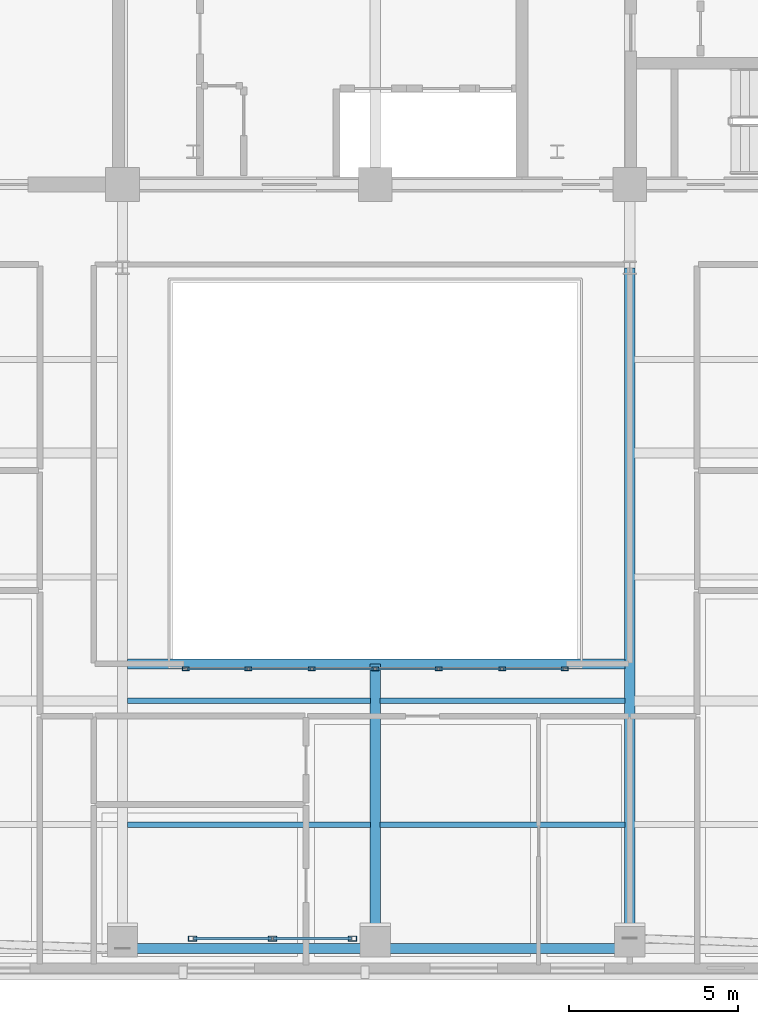
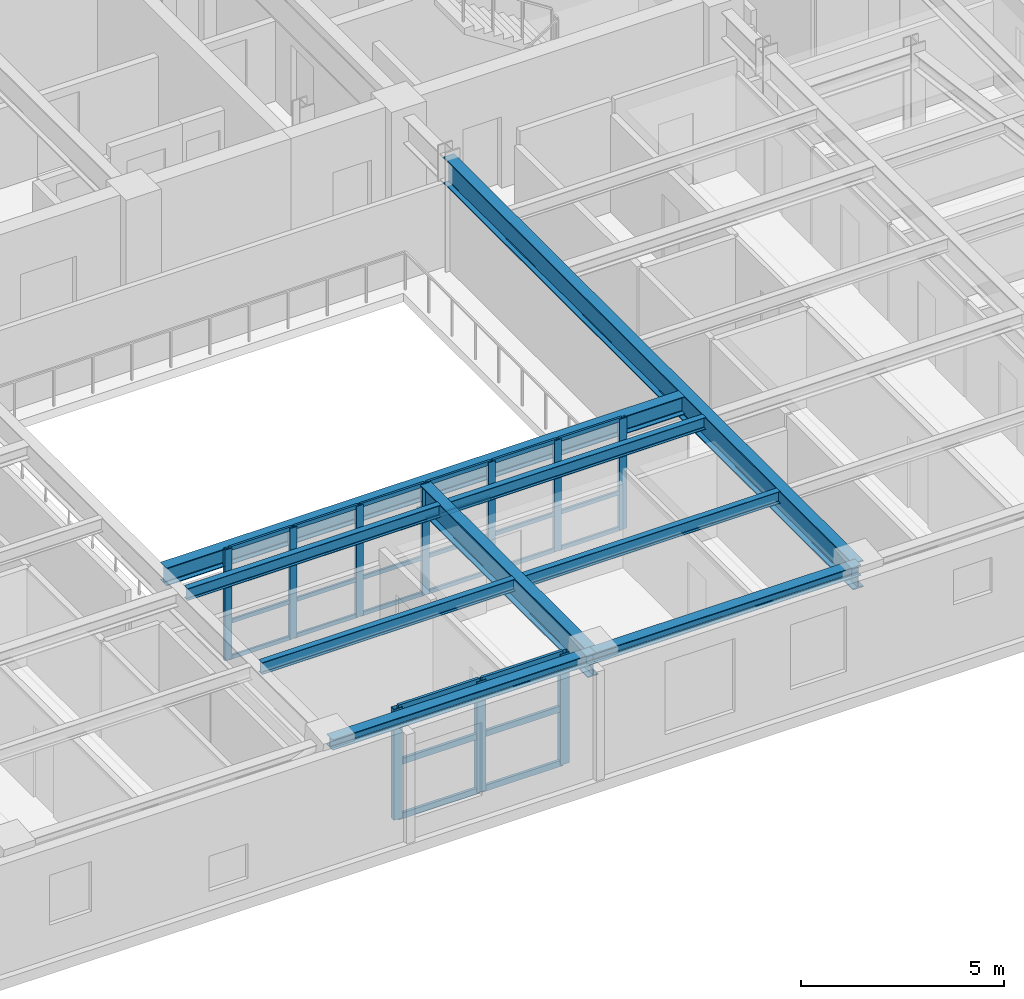
# One storey, part 2 of 14: 40 members, 9 beams, 2 elements without a shape of their own.
"""IFC4 building model written with IfcOpenShell, lengths in metres."""

from ifc_helpers import new_model, si_unit, direction, frame, origin, origin_2d, place, context, subcontext, project, spatial, hollow_rectangle, i_section, extrude, material, layer, layer_set, material_profile, profile_set, type_object, element, aggregate, save


model = new_model("IFC4")

# Units and contexts
model_context = context("Model", 3, precision=1e-05, world=origin(), true_north=direction((0.0, 1.0)))
body_context = subcontext(model_context, "Body", "Model", "MODEL_VIEW")
ifc_project = project(units=[si_unit("LENGTHUNIT", "METRE"), si_unit("AREAUNIT", "SQUARE_METRE"), si_unit("VOLUMEUNIT", "CUBIC_METRE"), si_unit("PLANEANGLEUNIT", "RADIAN"), si_unit("MASSUNIT", "GRAM", prefix="KILO")], contexts=[model_context])

# Site, building, storey
site_placement = place(None, origin())
site = spatial("IfcSite", under=ifc_project, at=site_placement, CompositionType="ELEMENT")
building_placement = place(site_placement, origin())
building = spatial("IfcBuilding", under=site, at=building_placement, Name="Zarnavel Station Tower", CompositionType="ELEMENT")
storey_placement = place(building_placement, frame((0.0, 0.0, 229.199951171875)))
storey = spatial("IfcBuildingStorey", under=building, at=storey_placement, Name="L62", CompositionType="ELEMENT", Elevation=229.199951171875)

# Curtain wall, members
ifc_material_1 = material(Name="Aluminium Dark Anodised and Solar-Control Glass", Category="aluminium")
ifc_layer_1 = layer(ifc_material_1, 0.179931640625)
ifc_layer_set_1 = layer_set([ifc_layer_1], Name="CWS5")
curtain_wall_type_1 = type_object("IfcCurtainWallType", Name="CWS5", PredefinedType="NOTDEFINED", material=ifc_layer_set_1)
curtain_wall_1_placement = place(storey_placement, origin())
curtain_wall_1 = element("IfcCurtainWall", 1, at=curtain_wall_1_placement, inside=storey, type_object=curtain_wall_type_1, Name="L62 Curtain Wall CWS5-L62-AS", PredefinedType="NOTDEFINED")
ifc_material_2 = material(Name="Steel S355J2 (Black Fluoropolymer Coated)", Category="steel")
ifc_material_profile_1 = material_profile(ifc_material_2, hollow_rectangle(XDim=0.10009765625, YDim=0.199951171875, WallThickness=0.008056640625, at=origin_2d()), Name="RHS200x100x8")
ifc_profile_set_1 = profile_set([ifc_material_profile_1], Name="Steel S355J2 (Black Fluoropolymer Coated)")
member_type_1 = type_object("IfcMemberType", Name="CWS5_MUL", PredefinedType="MULLION", material=ifc_profile_set_1)
member_1_placement = place(storey_placement, frame((23.179931640625, 13.449951171875, 0.0), z_axis=(0.0, 0.0, 1.0), x_axis=(0.0, 1.0, 0.0)))
member_1 = element("IfcMember", 2, at=member_1_placement, type_object=member_type_1, Name="CW5 mullion 1", PredefinedType="MULLION", context=body_context, shape_type="SweptSolid", body=[
    extrude(hollow_rectangle(XDim=0.10009765625, YDim=0.199951171875, WallThickness=0.008056640625, at=origin_2d()), origin(), (0.0, 0.0, 1.0), 3.340087890625),
])
member_2_placement = place(storey_placement, frame((25.033447265625, 13.449951171875, 0.0), z_axis=(0.0, 0.0, 1.0), x_axis=(0.0, 1.0, 0.0)))
member_2 = element("IfcMember", 3, at=member_2_placement, type_object=member_type_1, Name="CW5 mullion 2", PredefinedType="MULLION", context=body_context, shape_type="SweptSolid", body=[
    extrude(hollow_rectangle(XDim=0.10009765625, YDim=0.199951171875, WallThickness=0.008056640625, at=origin_2d()), origin(), (0.0, 0.0, 1.0), 3.340087890625),
])
member_3_placement = place(storey_placement, frame((26.916748046875, 13.449951171875, 0.0), z_axis=(0.0, 0.0, 1.0), x_axis=(0.0, 1.0, 0.0)))
member_3 = element("IfcMember", 4, at=member_3_placement, type_object=member_type_1, Name="CW5 mullion 3", PredefinedType="MULLION", context=body_context, shape_type="SweptSolid", body=[
    extrude(hollow_rectangle(XDim=0.10009765625, YDim=0.199951171875, WallThickness=0.008056640625, at=origin_2d()), origin(), (0.0, 0.0, 1.0), 3.340087890625),
])
member_4_placement = place(storey_placement, frame((28.800048828125, 13.449951171875, 0.0), z_axis=(0.0, 0.0, 1.0), x_axis=(0.0, 1.0, 0.0)))
member_4 = element("IfcMember", 5, at=member_4_placement, type_object=member_type_1, Name="CW5 mullion 4", PredefinedType="MULLION", context=body_context, shape_type="SweptSolid", body=[
    extrude(hollow_rectangle(XDim=0.10009765625, YDim=0.199951171875, WallThickness=0.008056640625, at=origin_2d()), origin(), (0.0, 0.0, 1.0), 3.340087890625),
])
member_5_placement = place(storey_placement, frame((30.683349609375, 13.449951171875, 0.0), z_axis=(0.0, 0.0, 1.0), x_axis=(0.0, 1.0, 0.0)))
member_5 = element("IfcMember", 6, at=member_5_placement, type_object=member_type_1, Name="CW5 mullion 5", PredefinedType="MULLION", context=body_context, shape_type="SweptSolid", body=[
    extrude(hollow_rectangle(XDim=0.10009765625, YDim=0.199951171875, WallThickness=0.008056640625, at=origin_2d()), origin(), (0.0, 0.0, 1.0), 3.340087890625),
])
member_6_placement = place(storey_placement, frame((32.566650390625, 13.449951171875, 0.0), z_axis=(0.0, 0.0, 1.0), x_axis=(0.0, 1.0, 0.0)))
member_6 = element("IfcMember", 7, at=member_6_placement, type_object=member_type_1, Name="CW5 mullion 6", PredefinedType="MULLION", context=body_context, shape_type="SweptSolid", body=[
    extrude(hollow_rectangle(XDim=0.10009765625, YDim=0.199951171875, WallThickness=0.008056640625, at=origin_2d()), origin(), (0.0, 0.0, 1.0), 3.340087890625),
])
member_7_placement = place(storey_placement, frame((34.419921875, 13.449951171875, 0.0), z_axis=(0.0, 0.0, 1.0), x_axis=(0.0, 1.0, 0.0)))
member_7 = element("IfcMember", 8, at=member_7_placement, type_object=member_type_1, Name="CW5 mullion 7", PredefinedType="MULLION", context=body_context, shape_type="SweptSolid", body=[
    extrude(hollow_rectangle(XDim=0.10009765625, YDim=0.199951171875, WallThickness=0.008056640625, at=origin_2d()), origin(), (0.0, 0.0, 1.0), 3.340087890625),
])
ifc_material_3 = material(Name="Steel S355J2 (Black Fluoropolymer Coated)", Category="steel")
ifc_material_profile_2 = material_profile(ifc_material_3, hollow_rectangle(XDim=0.06005859375, YDim=0.1201171875, WallThickness=0.0048828125, at=origin_2d()), Name="RHS120x60x5")
ifc_profile_set_2 = profile_set([ifc_material_profile_2], Name="Steel S355J2 (Black Fluoropolymer Coated)")
member_type_2 = type_object("IfcMemberType", Name="CWS5_TRN", PredefinedType="USERDEFINED", material=ifc_profile_set_2)
member_8_placement = place(storey_placement, frame((23.2099609375, 13.449951171875, 0.030029296875), z_axis=(1.0, 0.0, 0.0), x_axis=(0.0, 1.0, 0.0)))
member_8 = element("IfcMember", 9, at=member_8_placement, type_object=member_type_2, Name="CW5 transom 1.1", ObjectType="TRANSOM", PredefinedType="USERDEFINED", context=body_context, shape_type="SweptSolid", body=[
    extrude(hollow_rectangle(XDim=0.06005859375, YDim=0.1201171875, WallThickness=0.0048828125, at=origin_2d()), origin(), (0.0, 0.0, 1.0), 1.79345703125),
])
member_9_placement = place(storey_placement, frame((23.2099609375, 13.449951171875, 1.11328125), z_axis=(1.0, 0.0, 0.0), x_axis=(0.0, 1.0, 0.0)))
member_9 = element("IfcMember", 10, at=member_9_placement, type_object=member_type_2, Name="CW5 transom 1.2", ObjectType="TRANSOM", PredefinedType="USERDEFINED", context=body_context, shape_type="SweptSolid", body=[
    extrude(hollow_rectangle(XDim=0.06005859375, YDim=0.1201171875, WallThickness=0.0048828125, at=origin_2d()), origin(), (0.0, 0.0, 1.0), 1.79345703125),
])
member_10_placement = place(storey_placement, frame((23.2099609375, 13.449951171875, 2.226806640625), z_axis=(1.0, 0.0, 0.0), x_axis=(0.0, 1.0, 0.0)))
member_10 = element("IfcMember", 11, at=member_10_placement, type_object=member_type_2, Name="CW5 transom 1.3", ObjectType="TRANSOM", PredefinedType="USERDEFINED", context=body_context, shape_type="SweptSolid", body=[
    extrude(hollow_rectangle(XDim=0.06005859375, YDim=0.1201171875, WallThickness=0.0048828125, at=origin_2d()), origin(), (0.0, 0.0, 1.0), 1.79345703125),
])
member_11_placement = place(storey_placement, frame((23.2099609375, 13.449951171875, 3.31005859375), z_axis=(1.0, 0.0, 0.0), x_axis=(0.0, 1.0, 0.0)))
member_11 = element("IfcMember", 12, at=member_11_placement, type_object=member_type_2, Name="CW5 transom 1.4", ObjectType="TRANSOM", PredefinedType="USERDEFINED", context=body_context, shape_type="SweptSolid", body=[
    extrude(hollow_rectangle(XDim=0.06005859375, YDim=0.1201171875, WallThickness=0.0048828125, at=origin_2d()), origin(), (0.0, 0.0, 1.0), 1.79345703125),
])
member_12_placement = place(storey_placement, frame((25.063232421875, 13.449951171875, 0.030029296875), z_axis=(1.0, 0.0, 0.0), x_axis=(0.0, 1.0, 0.0)))
member_12 = element("IfcMember", 13, at=member_12_placement, type_object=member_type_2, Name="CW5 transom 2.1", ObjectType="TRANSOM", PredefinedType="USERDEFINED", context=body_context, shape_type="SweptSolid", body=[
    extrude(hollow_rectangle(XDim=0.06005859375, YDim=0.1201171875, WallThickness=0.0048828125, at=origin_2d()), origin(), (0.0, 0.0, 1.0), 1.823486328125),
])
member_13_placement = place(storey_placement, frame((25.063232421875, 13.449951171875, 1.11328125), z_axis=(1.0, 0.0, 0.0), x_axis=(0.0, 1.0, 0.0)))
member_13 = element("IfcMember", 14, at=member_13_placement, type_object=member_type_2, Name="CW5 transom 2.2", ObjectType="TRANSOM", PredefinedType="USERDEFINED", context=body_context, shape_type="SweptSolid", body=[
    extrude(hollow_rectangle(XDim=0.06005859375, YDim=0.1201171875, WallThickness=0.0048828125, at=origin_2d()), origin(), (0.0, 0.0, 1.0), 1.823486328125),
])
member_14_placement = place(storey_placement, frame((25.063232421875, 13.449951171875, 2.226806640625), z_axis=(1.0, 0.0, 0.0), x_axis=(0.0, 1.0, 0.0)))
member_14 = element("IfcMember", 15, at=member_14_placement, type_object=member_type_2, Name="CW5 transom 2.3", ObjectType="TRANSOM", PredefinedType="USERDEFINED", context=body_context, shape_type="SweptSolid", body=[
    extrude(hollow_rectangle(XDim=0.06005859375, YDim=0.1201171875, WallThickness=0.0048828125, at=origin_2d()), origin(), (0.0, 0.0, 1.0), 1.823486328125),
])
member_15_placement = place(storey_placement, frame((25.063232421875, 13.449951171875, 3.31005859375), z_axis=(1.0, 0.0, 0.0), x_axis=(0.0, 1.0, 0.0)))
member_15 = element("IfcMember", 16, at=member_15_placement, type_object=member_type_2, Name="CW5 transom 2.4", ObjectType="TRANSOM", PredefinedType="USERDEFINED", context=body_context, shape_type="SweptSolid", body=[
    extrude(hollow_rectangle(XDim=0.06005859375, YDim=0.1201171875, WallThickness=0.0048828125, at=origin_2d()), origin(), (0.0, 0.0, 1.0), 1.823486328125),
])
member_16_placement = place(storey_placement, frame((26.94677734375, 13.449951171875, 0.030029296875), z_axis=(1.0, 0.0, 0.0), x_axis=(0.0, 1.0, 0.0)))
member_16 = element("IfcMember", 17, at=member_16_placement, type_object=member_type_2, Name="CW5 transom 3.1", ObjectType="TRANSOM", PredefinedType="USERDEFINED", context=body_context, shape_type="SweptSolid", body=[
    extrude(hollow_rectangle(XDim=0.06005859375, YDim=0.1201171875, WallThickness=0.0048828125, at=origin_2d()), origin(), (0.0, 0.0, 1.0), 1.8232421875),
])
member_17_placement = place(storey_placement, frame((26.94677734375, 13.449951171875, 1.11328125), z_axis=(1.0, 0.0, 0.0), x_axis=(0.0, 1.0, 0.0)))
member_17 = element("IfcMember", 18, at=member_17_placement, type_object=member_type_2, Name="CW5 transom 3.2", ObjectType="TRANSOM", PredefinedType="USERDEFINED", context=body_context, shape_type="SweptSolid", body=[
    extrude(hollow_rectangle(XDim=0.06005859375, YDim=0.1201171875, WallThickness=0.0048828125, at=origin_2d()), origin(), (0.0, 0.0, 1.0), 1.8232421875),
])
member_18_placement = place(storey_placement, frame((26.94677734375, 13.449951171875, 2.226806640625), z_axis=(1.0, 0.0, 0.0), x_axis=(0.0, 1.0, 0.0)))
member_18 = element("IfcMember", 19, at=member_18_placement, type_object=member_type_2, Name="CW5 transom 3.3", ObjectType="TRANSOM", PredefinedType="USERDEFINED", context=body_context, shape_type="SweptSolid", body=[
    extrude(hollow_rectangle(XDim=0.06005859375, YDim=0.1201171875, WallThickness=0.0048828125, at=origin_2d()), origin(), (0.0, 0.0, 1.0), 1.8232421875),
])
member_19_placement = place(storey_placement, frame((26.94677734375, 13.449951171875, 3.31005859375), z_axis=(1.0, 0.0, 0.0), x_axis=(0.0, 1.0, 0.0)))
member_19 = element("IfcMember", 20, at=member_19_placement, type_object=member_type_2, Name="CW5 transom 3.4", ObjectType="TRANSOM", PredefinedType="USERDEFINED", context=body_context, shape_type="SweptSolid", body=[
    extrude(hollow_rectangle(XDim=0.06005859375, YDim=0.1201171875, WallThickness=0.0048828125, at=origin_2d()), origin(), (0.0, 0.0, 1.0), 1.8232421875),
])
member_20_placement = place(storey_placement, frame((28.830078125, 13.449951171875, 0.030029296875), z_axis=(1.0, 0.0, 0.0), x_axis=(0.0, 1.0, 0.0)))
member_20 = element("IfcMember", 21, at=member_20_placement, type_object=member_type_2, Name="CW5 transom 4.1", ObjectType="TRANSOM", PredefinedType="USERDEFINED", context=body_context, shape_type="SweptSolid", body=[
    extrude(hollow_rectangle(XDim=0.06005859375, YDim=0.1201171875, WallThickness=0.0048828125, at=origin_2d()), origin(), (0.0, 0.0, 1.0), 1.8232421875),
])
member_21_placement = place(storey_placement, frame((28.830078125, 13.449951171875, 1.11328125), z_axis=(1.0, 0.0, 0.0), x_axis=(0.0, 1.0, 0.0)))
member_21 = element("IfcMember", 22, at=member_21_placement, type_object=member_type_2, Name="CW5 transom 4.2", ObjectType="TRANSOM", PredefinedType="USERDEFINED", context=body_context, shape_type="SweptSolid", body=[
    extrude(hollow_rectangle(XDim=0.06005859375, YDim=0.1201171875, WallThickness=0.0048828125, at=origin_2d()), origin(), (0.0, 0.0, 1.0), 1.8232421875),
])
member_22_placement = place(storey_placement, frame((28.830078125, 13.449951171875, 2.226806640625), z_axis=(1.0, 0.0, 0.0), x_axis=(0.0, 1.0, 0.0)))
member_22 = element("IfcMember", 23, at=member_22_placement, type_object=member_type_2, Name="CW5 transom 4.3", ObjectType="TRANSOM", PredefinedType="USERDEFINED", context=body_context, shape_type="SweptSolid", body=[
    extrude(hollow_rectangle(XDim=0.06005859375, YDim=0.1201171875, WallThickness=0.0048828125, at=origin_2d()), origin(), (0.0, 0.0, 1.0), 1.8232421875),
])
member_23_placement = place(storey_placement, frame((28.830078125, 13.449951171875, 3.31005859375), z_axis=(1.0, 0.0, 0.0), x_axis=(0.0, 1.0, 0.0)))
member_23 = element("IfcMember", 24, at=member_23_placement, type_object=member_type_2, Name="CW5 transom 4.4", ObjectType="TRANSOM", PredefinedType="USERDEFINED", context=body_context, shape_type="SweptSolid", body=[
    extrude(hollow_rectangle(XDim=0.06005859375, YDim=0.1201171875, WallThickness=0.0048828125, at=origin_2d()), origin(), (0.0, 0.0, 1.0), 1.8232421875),
])
member_24_placement = place(storey_placement, frame((30.71337890625, 13.449951171875, 0.030029296875), z_axis=(1.0, 0.0, 0.0), x_axis=(0.0, 1.0, 0.0)))
member_24 = element("IfcMember", 25, at=member_24_placement, type_object=member_type_2, Name="CW5 transom 5.1", ObjectType="TRANSOM", PredefinedType="USERDEFINED", context=body_context, shape_type="SweptSolid", body=[
    extrude(hollow_rectangle(XDim=0.06005859375, YDim=0.1201171875, WallThickness=0.0048828125, at=origin_2d()), origin(), (0.0, 0.0, 1.0), 1.8232421875),
])
member_25_placement = place(storey_placement, frame((30.71337890625, 13.449951171875, 1.11328125), z_axis=(1.0, 0.0, 0.0), x_axis=(0.0, 1.0, 0.0)))
member_25 = element("IfcMember", 26, at=member_25_placement, type_object=member_type_2, Name="CW5 transom 5.2", ObjectType="TRANSOM", PredefinedType="USERDEFINED", context=body_context, shape_type="SweptSolid", body=[
    extrude(hollow_rectangle(XDim=0.06005859375, YDim=0.1201171875, WallThickness=0.0048828125, at=origin_2d()), origin(), (0.0, 0.0, 1.0), 1.8232421875),
])
member_26_placement = place(storey_placement, frame((30.71337890625, 13.449951171875, 2.226806640625), z_axis=(1.0, 0.0, 0.0), x_axis=(0.0, 1.0, 0.0)))
member_26 = element("IfcMember", 27, at=member_26_placement, type_object=member_type_2, Name="CW5 transom 5.3", ObjectType="TRANSOM", PredefinedType="USERDEFINED", context=body_context, shape_type="SweptSolid", body=[
    extrude(hollow_rectangle(XDim=0.06005859375, YDim=0.1201171875, WallThickness=0.0048828125, at=origin_2d()), origin(), (0.0, 0.0, 1.0), 1.8232421875),
])
member_27_placement = place(storey_placement, frame((30.71337890625, 13.449951171875, 3.31005859375), z_axis=(1.0, 0.0, 0.0), x_axis=(0.0, 1.0, 0.0)))
member_27 = element("IfcMember", 28, at=member_27_placement, type_object=member_type_2, Name="CW5 transom 5.4", ObjectType="TRANSOM", PredefinedType="USERDEFINED", context=body_context, shape_type="SweptSolid", body=[
    extrude(hollow_rectangle(XDim=0.06005859375, YDim=0.1201171875, WallThickness=0.0048828125, at=origin_2d()), origin(), (0.0, 0.0, 1.0), 1.8232421875),
])
member_28_placement = place(storey_placement, frame((32.5966796875, 13.449951171875, 0.030029296875), z_axis=(1.0, 0.0, 0.0), x_axis=(0.0, 1.0, 0.0)))
member_28 = element("IfcMember", 29, at=member_28_placement, type_object=member_type_2, Name="CW5 transom 6.1", ObjectType="TRANSOM", PredefinedType="USERDEFINED", context=body_context, shape_type="SweptSolid", body=[
    extrude(hollow_rectangle(XDim=0.06005859375, YDim=0.1201171875, WallThickness=0.0048828125, at=origin_2d()), origin(), (0.0, 0.0, 1.0), 1.793212890625),
])
member_29_placement = place(storey_placement, frame((32.5966796875, 13.449951171875, 1.11328125), z_axis=(1.0, 0.0, 0.0), x_axis=(0.0, 1.0, 0.0)))
member_29 = element("IfcMember", 30, at=member_29_placement, type_object=member_type_2, Name="CW5 transom 6.2", ObjectType="TRANSOM", PredefinedType="USERDEFINED", context=body_context, shape_type="SweptSolid", body=[
    extrude(hollow_rectangle(XDim=0.06005859375, YDim=0.1201171875, WallThickness=0.0048828125, at=origin_2d()), origin(), (0.0, 0.0, 1.0), 1.793212890625),
])
member_30_placement = place(storey_placement, frame((32.5966796875, 13.449951171875, 2.226806640625), z_axis=(1.0, 0.0, 0.0), x_axis=(0.0, 1.0, 0.0)))
member_30 = element("IfcMember", 31, at=member_30_placement, type_object=member_type_2, Name="CW5 transom 6.3", ObjectType="TRANSOM", PredefinedType="USERDEFINED", context=body_context, shape_type="SweptSolid", body=[
    extrude(hollow_rectangle(XDim=0.06005859375, YDim=0.1201171875, WallThickness=0.0048828125, at=origin_2d()), origin(), (0.0, 0.0, 1.0), 1.793212890625),
])
member_31_placement = place(storey_placement, frame((32.5966796875, 13.449951171875, 3.31005859375), z_axis=(1.0, 0.0, 0.0), x_axis=(0.0, 1.0, 0.0)))
member_31 = element("IfcMember", 32, at=member_31_placement, type_object=member_type_2, Name="CW5 transom 6.4", ObjectType="TRANSOM", PredefinedType="USERDEFINED", context=body_context, shape_type="SweptSolid", body=[
    extrude(hollow_rectangle(XDim=0.06005859375, YDim=0.1201171875, WallThickness=0.0048828125, at=origin_2d()), origin(), (0.0, 0.0, 1.0), 1.793212890625),
])
aggregate(curtain_wall_1, [member_1, member_2, member_3, member_4, member_5, member_6, member_7, member_8, member_9, member_10, member_11, member_12, member_13, member_14, member_15, member_16, member_17, member_18, member_19, member_20, member_21, member_22, member_23, member_24, member_25, member_26, member_27, member_28, member_29, member_30, member_31])

ifc_material_4 = material(Name="Aluminium Dark Anodised and Solar-Control Glass", Category="aluminium")
ifc_layer_2 = layer(ifc_material_4, 0.179931640625)
ifc_layer_set_2 = layer_set([ifc_layer_2], Name="CWS6")
curtain_wall_type_2 = type_object("IfcCurtainWallType", Name="CWS6", PredefinedType="NOTDEFINED", material=ifc_layer_set_2)
curtain_wall_2_placement = place(storey_placement, origin())
curtain_wall_2 = element("IfcCurtainWall", 33, at=curtain_wall_2_placement, inside=storey, type_object=curtain_wall_type_2, Name="L62 Curtain Wall CWS6-LOG-L62", PredefinedType="NOTDEFINED")
ifc_material_5 = material(Name="Steel S355J2 (Black Fluoropolymer Coated)", Category="steel")
ifc_material_profile_3 = material_profile(ifc_material_5, hollow_rectangle(XDim=0.14990234375, YDim=0.25, WallThickness=0.010009765625, at=origin_2d()), Name="RHS250x150x10")
ifc_profile_set_3 = profile_set([ifc_material_profile_3], Name="Steel S355J2 (Black Fluoropolymer Coated)")
member_type_3 = type_object("IfcMemberType", Name="CWS6_MUL", PredefinedType="MULLION", material=ifc_profile_set_3)
member_32_placement = place(storey_placement, frame((23.3798828125, 5.449951171875, 0.0), z_axis=(0.0, 0.0, 1.0), x_axis=(0.0, 1.0, 0.0)))
member_32 = element("IfcMember", 34, at=member_32_placement, type_object=member_type_3, Name="CW6 mullion 1", PredefinedType="MULLION", context=body_context, shape_type="SweptSolid", body=[
    extrude(hollow_rectangle(XDim=0.14990234375, YDim=0.25, WallThickness=0.010009765625, at=origin_2d()), origin(), (0.0, 0.0, 1.0), 3.340087890625),
])
member_33_placement = place(storey_placement, frame((25.7529296875, 5.449951171875, 0.0), z_axis=(0.0, 0.0, 1.0), x_axis=(0.0, 1.0, 0.0)))
member_33 = element("IfcMember", 35, at=member_33_placement, type_object=member_type_3, Name="CW6 mullion 2", PredefinedType="MULLION", context=body_context, shape_type="SweptSolid", body=[
    extrude(hollow_rectangle(XDim=0.14990234375, YDim=0.25, WallThickness=0.010009765625, at=origin_2d()), origin(), (0.0, 0.0, 1.0), 3.340087890625),
])
member_34_placement = place(storey_placement, frame((28.1259765625, 5.449951171875, 0.0), z_axis=(0.0, 0.0, 1.0), x_axis=(0.0, 1.0, 0.0)))
member_34 = element("IfcMember", 36, at=member_34_placement, type_object=member_type_3, Name="CW6 mullion 3", PredefinedType="MULLION", context=body_context, shape_type="SweptSolid", body=[
    extrude(hollow_rectangle(XDim=0.14990234375, YDim=0.25, WallThickness=0.010009765625, at=origin_2d()), origin(), (0.0, 0.0, 1.0), 3.340087890625),
])
ifc_material_6 = material(Name="Steel S355J2 (Black Fluoropolymer Coated)", Category="steel")
ifc_material_profile_4 = material_profile(ifc_material_6, hollow_rectangle(XDim=0.080078125, YDim=0.179931640625, WallThickness=0.00634765625, at=origin_2d()), Name="RHS180x80x6.3")
ifc_profile_set_4 = profile_set([ifc_material_profile_4], Name="Steel S355J2 (Black Fluoropolymer Coated)")
member_type_4 = type_object("IfcMemberType", Name="CWS6_TRN", PredefinedType="USERDEFINED", material=ifc_profile_set_4)
member_35_placement = place(storey_placement, frame((23.409912109375, 5.449951171875, 0.030029296875), z_axis=(1.0, 0.0, 0.0), x_axis=(0.0, 1.0, 0.0)))
member_35 = element("IfcMember", 37, at=member_35_placement, type_object=member_type_4, Name="CW6 transom 1.1", ObjectType="TRANSOM", PredefinedType="USERDEFINED", context=body_context, shape_type="SweptSolid", body=[
    extrude(hollow_rectangle(XDim=0.080078125, YDim=0.179931640625, WallThickness=0.00634765625, at=origin_2d()), origin(), (0.0, 0.0, 1.0), 2.31298828125),
])
member_36_placement = place(storey_placement, frame((23.409912109375, 5.449951171875, 1.670166015625), z_axis=(1.0, 0.0, 0.0), x_axis=(0.0, 1.0, 0.0)))
member_36 = element("IfcMember", 38, at=member_36_placement, type_object=member_type_4, Name="CW6 transom 1.2", ObjectType="TRANSOM", PredefinedType="USERDEFINED", context=body_context, shape_type="SweptSolid", body=[
    extrude(hollow_rectangle(XDim=0.080078125, YDim=0.179931640625, WallThickness=0.00634765625, at=origin_2d()), origin(), (0.0, 0.0, 1.0), 2.31298828125),
])
member_37_placement = place(storey_placement, frame((23.409912109375, 5.449951171875, 3.31005859375), z_axis=(1.0, 0.0, 0.0), x_axis=(0.0, 1.0, 0.0)))
member_37 = element("IfcMember", 39, at=member_37_placement, type_object=member_type_4, Name="CW6 transom 1.3", ObjectType="TRANSOM", PredefinedType="USERDEFINED", context=body_context, shape_type="SweptSolid", body=[
    extrude(hollow_rectangle(XDim=0.080078125, YDim=0.179931640625, WallThickness=0.00634765625, at=origin_2d()), origin(), (0.0, 0.0, 1.0), 2.31298828125),
])
member_38_placement = place(storey_placement, frame((25.782958984375, 5.449951171875, 0.030029296875), z_axis=(1.0, 0.0, 0.0), x_axis=(0.0, 1.0, 0.0)))
member_38 = element("IfcMember", 40, at=member_38_placement, type_object=member_type_4, Name="CW6 transom 2.1", ObjectType="TRANSOM", PredefinedType="USERDEFINED", context=body_context, shape_type="SweptSolid", body=[
    extrude(hollow_rectangle(XDim=0.080078125, YDim=0.179931640625, WallThickness=0.00634765625, at=origin_2d()), origin(), (0.0, 0.0, 1.0), 2.31298828125),
])
member_39_placement = place(storey_placement, frame((25.782958984375, 5.449951171875, 1.670166015625), z_axis=(1.0, 0.0, 0.0), x_axis=(0.0, 1.0, 0.0)))
member_39 = element("IfcMember", 41, at=member_39_placement, type_object=member_type_4, Name="CW6 transom 2.2", ObjectType="TRANSOM", PredefinedType="USERDEFINED", context=body_context, shape_type="SweptSolid", body=[
    extrude(hollow_rectangle(XDim=0.080078125, YDim=0.179931640625, WallThickness=0.00634765625, at=origin_2d()), origin(), (0.0, 0.0, 1.0), 2.31298828125),
])
member_40_placement = place(storey_placement, frame((25.782958984375, 5.449951171875, 3.31005859375), z_axis=(1.0, 0.0, 0.0), x_axis=(0.0, 1.0, 0.0)))
member_40 = element("IfcMember", 42, at=member_40_placement, type_object=member_type_4, Name="CW6 transom 2.3", ObjectType="TRANSOM", PredefinedType="USERDEFINED", context=body_context, shape_type="SweptSolid", body=[
    extrude(hollow_rectangle(XDim=0.080078125, YDim=0.179931640625, WallThickness=0.00634765625, at=origin_2d()), origin(), (0.0, 0.0, 1.0), 2.31298828125),
])
aggregate(curtain_wall_2, [member_32, member_33, member_34, member_35, member_36, member_37, member_38, member_39, member_40])

# Beams
ifc_material_7 = material(Name="Steel S355J2", Category="steel")
ifc_material_profile_5 = material_profile(ifc_material_7, i_section(OverallWidth=0.300048828125, OverallDepth=0.320068359375, WebThickness=0.011474609375, FlangeThickness=0.0205078125, FilletRadius=0.027099609375, at=origin_2d()), Name="HEB320")
ifc_profile_set_5 = profile_set([ifc_material_profile_5], Name="Steel S355J2")
beam_type_1 = type_object("IfcBeamType", Name="EB_HEB320", PredefinedType="SPANDREL", material=ifc_profile_set_5)
beam_1_placement = place(storey_placement, frame((21.300048828125, 5.1552734375, 3.179931640625), z_axis=(1.0, 0.0, 0.0), x_axis=(0.0, 1.0, 0.0)))
element("IfcBeam", 43, at=beam_1_placement, inside=storey, type_object=beam_type_1, Name="L62 South Raked Spandrel 2", PredefinedType="SPANDREL", context=body_context, shape_type="SweptSolid", body=[
    extrude(i_section(OverallWidth=0.300048828125, OverallDepth=0.320068359375, WebThickness=0.011474609375, FlangeThickness=0.0205078125, FilletRadius=0.027099609375, at=origin_2d()), origin(), (0.0, 0.0, 1.0), 7.5),
])
beam_2_placement = place(storey_placement, frame((28.800048828125, 5.1552734375, 3.179931640625), z_axis=(1.0, 0.0, 0.0), x_axis=(0.0, 1.0, 0.0)))
element("IfcBeam", 44, at=beam_2_placement, inside=storey, type_object=beam_type_1, Name="L62 South Raked Spandrel 3", PredefinedType="SPANDREL", context=body_context, shape_type="SweptSolid", body=[
    extrude(i_section(OverallWidth=0.300048828125, OverallDepth=0.320068359375, WebThickness=0.011474609375, FlangeThickness=0.0205078125, FilletRadius=0.027099609375, at=origin_2d()), origin(), (0.0, 0.0, 1.0), 7.550048828125),
])
ifc_material_8 = material(Name="Steel S355J2", Category="steel")
ifc_material_profile_6 = material_profile(ifc_material_8, i_section(OverallWidth=0.300048828125, OverallDepth=0.5400390625, WebThickness=0.012451171875, FlangeThickness=0.02392578125, FilletRadius=0.027099609375, at=origin_2d()), Name="HEA550")
ifc_profile_set_6 = profile_set([ifc_material_profile_6], Name="Steel S355J2")
beam_type_2 = type_object("IfcBeamType", Name="FB_HEA550", PredefinedType="BEAM", material=ifc_profile_set_6)
beam_3_placement = place(storey_placement, frame((21.445068359375, 13.60009765625, 3.070068359375), z_axis=(1.0, 0.0, 0.0), x_axis=(0.0, 1.0, 0.0)))
element("IfcBeam", 45, at=beam_3_placement, inside=storey, type_object=beam_type_2, Name="L62 Atrium South Edge Girder", PredefinedType="BEAM", context=body_context, shape_type="SweptSolid", body=[
    extrude(i_section(OverallWidth=0.300048828125, OverallDepth=0.5400390625, WebThickness=0.012451171875, FlangeThickness=0.02392578125, FilletRadius=0.027099609375, at=origin_2d()), origin(), (0.0, 0.0, 1.0), 14.760009765625),
])
ifc_material_9 = material(Name="Steel S355J2", Category="steel")
ifc_material_profile_7 = material_profile(ifc_material_9, i_section(OverallWidth=0.300048828125, OverallDepth=0.800048828125, WebThickness=0.017578125, FlangeThickness=0.032958984375, FilletRadius=0.030029296875, at=origin_2d()), Name="HEB800")
ifc_profile_set_7 = profile_set([ifc_material_profile_7], Name="Steel S355J2")
beam_type_3 = type_object("IfcBeamType", Name="FG_HEB800", PredefinedType="USERDEFINED", material=ifc_profile_set_7)
beam_4_placement = place(storey_placement, frame((28.800048828125, 5.1552734375, 2.93994140625), z_axis=(0.0, 1.0, 0.0), x_axis=(-1.0, 0.0, 0.0)))
element("IfcBeam", 46, at=beam_4_placement, inside=storey, type_object=beam_type_3, Name="L62 Central Atrium-South Girder", ObjectType="GIRDER", PredefinedType="USERDEFINED", context=body_context, shape_type="SweptSolid", body=[
    extrude(i_section(OverallWidth=0.300048828125, OverallDepth=0.800048828125, WebThickness=0.017578125, FlangeThickness=0.032958984375, FilletRadius=0.030029296875, at=origin_2d()), origin(), (0.0, 0.0, 1.0), 8.44482421875),
])
beam_5_placement = place(storey_placement, frame((36.35009765625, 5.1552734375, 2.93994140625), z_axis=(0.0, 1.0, 0.0), x_axis=(-1.0, 0.0, 0.0)))
element("IfcBeam", 47, at=beam_5_placement, inside=storey, type_object=beam_type_3, Name="L62 South-Zone NS Girder 4", ObjectType="GIRDER", PredefinedType="USERDEFINED", context=body_context, shape_type="SweptSolid", body=[
    extrude(i_section(OverallWidth=0.300048828125, OverallDepth=0.800048828125, WebThickness=0.017578125, FlangeThickness=0.032958984375, FilletRadius=0.030029296875, at=origin_2d()), origin(), (0.0, 0.0, 1.0), 20.19482421875),
])
ifc_material_10 = material(Name="Steel S355J2", Category="steel")
ifc_material_profile_8 = material_profile(ifc_material_10, i_section(OverallWidth=0.169921875, OverallDepth=0.360107421875, WebThickness=0.008056640625, FlangeThickness=0.0126953125, FilletRadius=0.01806640625, at=origin_2d()), Name="IPE360")
ifc_profile_set_8 = profile_set([ifc_material_profile_8], Name="Steel S355J2")
beam_type_4 = type_object("IfcBeamType", Name="FJ_IPE360", PredefinedType="JOIST", material=ifc_profile_set_8)
beam_6_placement = place(storey_placement, frame((21.445068359375, 8.829345703125, 3.16015625), z_axis=(1.0, 0.0, 0.0), x_axis=(0.0, 1.0, 0.0)))
element("IfcBeam", 48, at=beam_6_placement, inside=storey, type_object=beam_type_4, Name="L62 Mid-West Joist 1", PredefinedType="JOIST", context=body_context, shape_type="SweptSolid", body=[
    extrude(i_section(OverallWidth=0.169921875, OverallDepth=0.360107421875, WebThickness=0.008056640625, FlangeThickness=0.0126953125, FilletRadius=0.01806640625, at=origin_2d()), origin(), (0.0, 0.0, 1.0), 7.2099609375),
])
beam_7_placement = place(storey_placement, frame((28.945068359375, 8.829345703125, 3.16015625), z_axis=(1.0, 0.0, 0.0), x_axis=(0.0, 1.0, 0.0)))
element("IfcBeam", 49, at=beam_7_placement, inside=storey, type_object=beam_type_4, Name="L62 Mid-East Joist 1", PredefinedType="JOIST", context=body_context, shape_type="SweptSolid", body=[
    extrude(i_section(OverallWidth=0.169921875, OverallDepth=0.360107421875, WebThickness=0.008056640625, FlangeThickness=0.0126953125, FilletRadius=0.01806640625, at=origin_2d()), origin(), (0.0, 0.0, 1.0), 7.260009765625),
])
beam_8_placement = place(storey_placement, frame((21.445068359375, 12.50341796875, 3.16015625), z_axis=(1.0, 0.0, 0.0), x_axis=(0.0, 1.0, 0.0)))
element("IfcBeam", 50, at=beam_8_placement, inside=storey, type_object=beam_type_4, Name="L62 Mid-West Joist 2", PredefinedType="JOIST", context=body_context, shape_type="SweptSolid", body=[
    extrude(i_section(OverallWidth=0.169921875, OverallDepth=0.360107421875, WebThickness=0.008056640625, FlangeThickness=0.0126953125, FilletRadius=0.01806640625, at=origin_2d()), origin(), (0.0, 0.0, 1.0), 7.2099609375),
])
beam_9_placement = place(storey_placement, frame((28.945068359375, 12.50341796875, 3.16015625), z_axis=(1.0, 0.0, 0.0), x_axis=(0.0, 1.0, 0.0)))
element("IfcBeam", 51, at=beam_9_placement, inside=storey, type_object=beam_type_4, Name="L62 Mid-East Joist 2", PredefinedType="JOIST", context=body_context, shape_type="SweptSolid", body=[
    extrude(i_section(OverallWidth=0.169921875, OverallDepth=0.360107421875, WebThickness=0.008056640625, FlangeThickness=0.0126953125, FilletRadius=0.01806640625, at=origin_2d()), origin(), (0.0, 0.0, 1.0), 7.260009765625),
])

save(model, "model.ifc")
